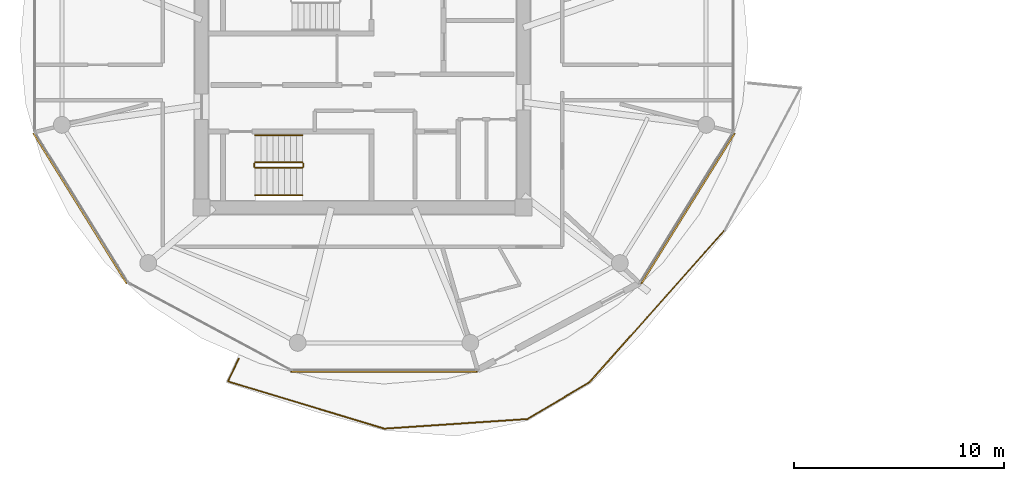
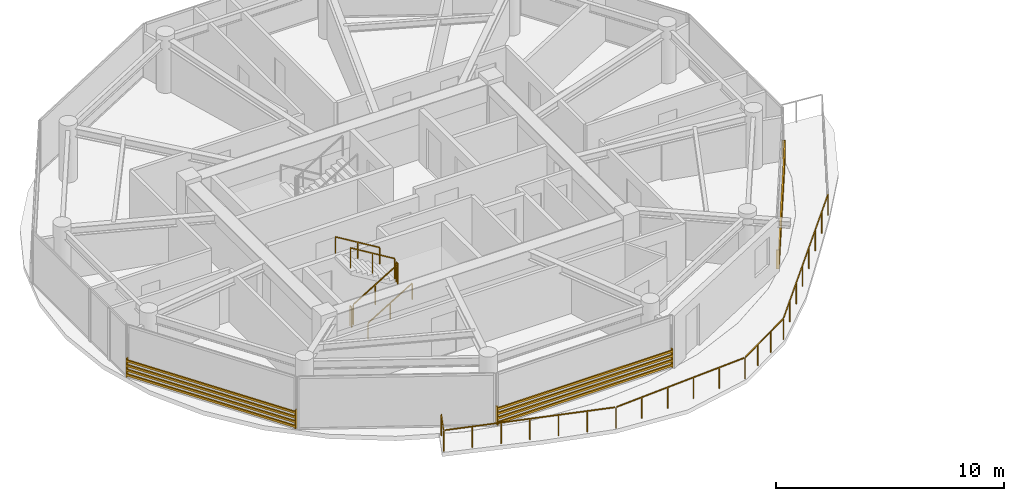
# One storey, part 18 of 22: 7 railings, 3 shading devices.
"""IFC4 building model written with IfcOpenShell, lengths in metres."""

from ifc_helpers import new_model, si_unit, direction, frame, origin, origin_2d, place, context, subcontext, project, spatial, rectangle, extrude, source, transform, mapped, material, type_object, type_shapes, element, save


model = new_model("IFC4")

# Units and contexts
model_context = context("Model", 3, precision=1e-05, world=origin(), true_north=direction((0.0, 1.0)))
body_context = subcontext(model_context, "Body", "Model", "MODEL_VIEW")
ifc_project = project(units=[si_unit("LENGTHUNIT", "METRE"), si_unit("AREAUNIT", "SQUARE_METRE"), si_unit("VOLUMEUNIT", "CUBIC_METRE"), si_unit("PLANEANGLEUNIT", "RADIAN"), si_unit("MASSUNIT", "GRAM", prefix="KILO")], contexts=[model_context])

# Site, building, storey
site_placement = place(None, origin())
site = spatial("IfcSite", under=ifc_project, at=site_placement, CompositionType="ELEMENT")
building_placement = place(site_placement, origin())
building = spatial("IfcBuilding", under=site, at=building_placement, Name="Norrkilde Senior Care Towers", CompositionType="ELEMENT")
storey_placement = place(building_placement, frame((0.0, 0.0, 180.050048828125)))
storey = spatial("IfcBuildingStorey", under=building, at=storey_placement, Name="L56", CompositionType="ELEMENT", Elevation=180.050048828125)

# Railings
ifc_material_1 = material(Name="Anodised Aluminium", Category="aluminium")
railing_type_1 = type_object("IfcRailingType", Name="Balcony Swirl Ribbon Guardrail 1150", PredefinedType="GUARDRAIL", material=ifc_material_1)
railing_1_placement = place(storey_placement, frame((-10.782958984375, -7.01513671875, 0.0)))
element("IfcRailing", 1, at=railing_1_placement, inside=storey, type_object=railing_type_1, Name="L56 Perimeter Safety Guard 03", PredefinedType="GUARDRAIL", context=body_context, shape_type="SweptSolid", body=[
    extrude(rectangle(XDim=0.048095703125, YDim=0.048095703125, at=origin_2d()), frame((0.0, 0.0, 1.1259765625), z_axis=(-0.664492121121, -0.74729527027, 0.0), x_axis=(0.74729527027, -0.664492121121, 0.0)), (0.0, 0.0, 1.0), 9.644775390625),
    extrude(rectangle(XDim=0.048095703125, YDim=0.048095703125, at=origin_2d()), frame((-6.47119140625, -7.2587890625, 1.1259765625), z_axis=(-0.860746246343, -0.509034281171, 0.0), x_axis=(0.509034281171, -0.860746246343, 0.0)), (0.0, 0.0, 1.0), 3.34326171875),
    extrude(rectangle(XDim=0.048095703125, YDim=0.048095703125, at=origin_2d()), frame((-9.4248046875, -8.984130859375, 1.1259765625), z_axis=(-0.997766716998, -0.066795048107, 0.0), x_axis=(0.066795048107, -0.997766716998, 0.0)), (0.0, 0.0, 1.0), 6.7275390625),
    extrude(rectangle(XDim=0.048095703125, YDim=0.048095703125, at=origin_2d()), frame((-16.21728515625, -9.424560546875, 1.1259765625), z_axis=(-0.957263301144, 0.289217863007, 0.0), x_axis=(-0.289217863007, -0.957263301144, 0.0)), (0.0, 0.0, 1.0), 7.677490234375),
    extrude(rectangle(XDim=0.048095703125, YDim=0.048095703125, at=origin_2d()), frame((-23.588623046875, -7.155029296875, 1.1259765625), z_axis=(0.425012660625, 0.905187405076, 0.0), x_axis=(-0.905187405076, 0.425012660625, 0.0)), (0.0, 0.0, 1.0), 1.158447265625),
    extrude(rectangle(XDim=0.0419921875, YDim=0.0419921875, at=origin_2d()), origin(), (0.0, 0.0, 1.0), 1.099853515625),
    extrude(rectangle(XDim=0.0419921875, YDim=0.0419921875, at=origin_2d()), frame((-0.91943359375, -1.033935546875, 0.0)), (0.0, 0.0, 1.0), 1.099853515625),
    extrude(rectangle(XDim=0.0419921875, YDim=0.0419921875, at=origin_2d()), frame((-1.8388671875, -2.068115234375, 0.0)), (0.0, 0.0, 1.0), 1.099853515625),
    extrude(rectangle(XDim=0.0419921875, YDim=0.0419921875, at=origin_2d()), frame((-2.75830078125, -3.10205078125, 0.0)), (0.0, 0.0, 1.0), 1.099853515625),
    extrude(rectangle(XDim=0.0419921875, YDim=0.0419921875, at=origin_2d()), frame((-3.677734375, -4.135986328125, 0.0)), (0.0, 0.0, 1.0), 1.099853515625),
    extrude(rectangle(XDim=0.0419921875, YDim=0.0419921875, at=origin_2d()), frame((-4.59716796875, -5.169921875, 0.0)), (0.0, 0.0, 1.0), 1.099853515625),
    extrude(rectangle(XDim=0.0419921875, YDim=0.0419921875, at=origin_2d()), frame((-5.5166015625, -6.2041015625, 0.0)), (0.0, 0.0, 1.0), 1.099853515625),
    extrude(rectangle(XDim=0.0419921875, YDim=0.0419921875, at=origin_2d()), frame((-6.43603515625, -7.238037109375, 0.0)), (0.0, 0.0, 1.0), 1.099853515625),
    extrude(rectangle(XDim=0.0419921875, YDim=0.0419921875, at=origin_2d()), frame((-7.418701171875, -7.819091796875, 0.0)), (0.0, 0.0, 1.0), 1.099853515625),
    extrude(rectangle(XDim=0.0419921875, YDim=0.0419921875, at=origin_2d()), frame((-8.4013671875, -8.400390625, 0.0)), (0.0, 0.0, 1.0), 1.099853515625),
    extrude(rectangle(XDim=0.0419921875, YDim=0.0419921875, at=origin_2d()), frame((-9.384033203125, -8.9814453125, 0.0)), (0.0, 0.0, 1.0), 1.099853515625),
    extrude(rectangle(XDim=0.0419921875, YDim=0.0419921875, at=origin_2d()), frame((-10.742919921875, -9.072509765625, 0.0)), (0.0, 0.0, 1.0), 1.099853515625),
    extrude(rectangle(XDim=0.0419921875, YDim=0.0419921875, at=origin_2d()), frame((-12.101806640625, -9.163330078125, 0.0)), (0.0, 0.0, 1.0), 1.099853515625),
    extrude(rectangle(XDim=0.0419921875, YDim=0.0419921875, at=origin_2d()), frame((-13.46044921875, -9.25439453125, 0.0)), (0.0, 0.0, 1.0), 1.099853515625),
    extrude(rectangle(XDim=0.0419921875, YDim=0.0419921875, at=origin_2d()), frame((-14.8193359375, -9.34521484375, 0.0)), (0.0, 0.0, 1.0), 1.099853515625),
    extrude(rectangle(XDim=0.0419921875, YDim=0.0419921875, at=origin_2d()), frame((-16.17822265625, -9.436279296875, 0.0)), (0.0, 0.0, 1.0), 1.099853515625),
    extrude(rectangle(XDim=0.0419921875, YDim=0.0419921875, at=origin_2d()), frame((-17.416259765625, -9.062255859375, 0.0)), (0.0, 0.0, 1.0), 1.099853515625),
    extrude(rectangle(XDim=0.0419921875, YDim=0.0419921875, at=origin_2d()), frame((-18.654052734375, -8.688232421875, 0.0)), (0.0, 0.0, 1.0), 1.099853515625),
    extrude(rectangle(XDim=0.0419921875, YDim=0.0419921875, at=origin_2d()), frame((-19.89208984375, -8.314208984375, 0.0)), (0.0, 0.0, 1.0), 1.099853515625),
    extrude(rectangle(XDim=0.0419921875, YDim=0.0419921875, at=origin_2d()), frame((-21.130126953125, -7.940185546875, 0.0)), (0.0, 0.0, 1.0), 1.099853515625),
    extrude(rectangle(XDim=0.0419921875, YDim=0.0419921875, at=origin_2d()), frame((-22.367919921875, -7.566162109375, 0.0)), (0.0, 0.0, 1.0), 1.099853515625),
    extrude(rectangle(XDim=0.0419921875, YDim=0.0419921875, at=origin_2d()), frame((-23.60595703125, -7.192138671875, 0.0)), (0.0, 0.0, 1.0), 1.099853515625),
    extrude(rectangle(XDim=0.0419921875, YDim=0.0419921875, at=origin_2d()), frame((-23.09619140625, -6.1064453125, 0.0)), (0.0, 0.0, 1.0), 1.099853515625),
])
ifc_material_2 = material(Name="Stainless Steel", Category="steel")
railing_type_2 = type_object("IfcRailingType", Name="Stair and Terrace Guardrail 1100", PredefinedType="GUARDRAIL", material=ifc_material_2)
railing_2_placement = place(storey_placement, frame((-33.10009765625, -4.050048828125, 0.16943359375)))
element("IfcRailing", 2, at=railing_2_placement, inside=storey, type_object=railing_type_2, Name="L56 ST-W2 stair guard 1", PredefinedType="GUARDRAIL", context=body_context, shape_type="SweptSolid", body=[
    extrude(rectangle(XDim=0.048095703125, YDim=0.048095703125, at=origin_2d()), frame((0.0, 0.0, 1.076171875), z_axis=(0.855553338991, 0.0, 0.51771467445), x_axis=(0.0, 1.0, 0.0)), (0.0, 0.0, 1.0), 2.6181640625),
    extrude(rectangle(XDim=0.0419921875, YDim=0.0419921875, at=origin_2d()), origin(), (0.0, 0.0, 1.0), 1.050048828125),
    extrude(rectangle(XDim=0.0419921875, YDim=0.0419921875, at=origin_2d()), frame((1.1201171875, 0.0, 0.677734375)), (0.0, 0.0, 1.0), 1.050048828125),
    extrude(rectangle(XDim=0.0419921875, YDim=0.0419921875, at=origin_2d()), frame((2.239990234375, 0.0, 1.35546875)), (0.0, 0.0, 1.0), 1.050048828125),
])
railing_3_placement = place(storey_placement, frame((-30.81005859375, -4.0, 1.52490234375)))
element("IfcRailing", 3, at=railing_3_placement, inside=storey, type_object=railing_type_2, Name="L56 ST-W2 stair guard 2", PredefinedType="GUARDRAIL", context=body_context, shape_type="SweptSolid", body=[
    extrude(rectangle(XDim=0.048095703125, YDim=0.048095703125, at=origin_2d()), frame((0.0, 0.0, 1.076171875), z_axis=(0.0, 1.0, 0.0), x_axis=(-1.0, 0.0, 0.0)), (0.0, 0.0, 1.0), 0.14990234375),
    extrude(rectangle(XDim=0.0419921875, YDim=0.0419921875, at=origin_2d()), origin(), (0.0, 0.0, 1.0), 1.050048828125),
    extrude(rectangle(XDim=0.0419921875, YDim=0.0419921875, at=origin_2d()), frame((0.0, 0.14990234375, 0.0)), (0.0, 0.0, 1.0), 1.050048828125),
])
railing_4_placement = place(storey_placement, frame((-30.860107421875, -3.800048828125, 1.6943359375)))
element("IfcRailing", 4, at=railing_4_placement, inside=storey, type_object=railing_type_2, Name="L56 ST-W2 stair guard 3", PredefinedType="GUARDRAIL", context=body_context, shape_type="SweptSolid", body=[
    extrude(rectangle(XDim=0.048095703125, YDim=0.048095703125, at=origin_2d()), frame((0.0, 0.0, 1.076171875), z_axis=(-0.855512035549, 0.0, 0.517782924622), x_axis=(0.0, -1.0, 0.0)), (0.0, 0.0, 1.0), 2.618408203125),
    extrude(rectangle(XDim=0.0419921875, YDim=0.0419921875, at=origin_2d()), origin(), (0.0, 0.0, 1.0), 1.050048828125),
    extrude(rectangle(XDim=0.0419921875, YDim=0.0419921875, at=origin_2d()), frame((-1.1201171875, 0.0, 0.677734375)), (0.0, 0.0, 1.0), 1.050048828125),
    extrude(rectangle(XDim=0.0419921875, YDim=0.0419921875, at=origin_2d()), frame((-2.239990234375, 0.0, 1.355712890625)), (0.0, 0.0, 1.0), 1.050048828125),
])
railing_5_placement = place(storey_placement, frame((-33.14990234375, -4.0, 0.0)))
element("IfcRailing", 5, at=railing_5_placement, inside=storey, type_object=railing_type_2, Name="L56 ST-W2 stair guard 4", PredefinedType="GUARDRAIL", context=body_context, shape_type="SweptSolid", body=[
    extrude(rectangle(XDim=0.048095703125, YDim=0.048095703125, at=origin_2d()), frame((0.0, 0.0, 1.076171875), z_axis=(0.0, 1.0, 0.0), x_axis=(-1.0, 0.0, 0.0)), (0.0, 0.0, 1.0), 0.14990234375),
    extrude(rectangle(XDim=0.0419921875, YDim=0.0419921875, at=origin_2d()), origin(), (0.0, 0.0, 1.0), 1.050048828125),
    extrude(rectangle(XDim=0.0419921875, YDim=0.0419921875, at=origin_2d()), frame((0.0, 0.14990234375, 0.0)), (0.0, 0.0, 1.0), 1.050048828125),
])
ifc_material_3 = material(Name="Nordic Ash Timber", Category="wood")
railing_type_3 = type_object("IfcRailingType", Name="Wall and Stair Handrail 900", PredefinedType="HANDRAIL", material=ifc_material_3)
railing_6_placement = place(storey_placement, frame((-33.10009765625, -5.35009765625, 0.16943359375)))
element("IfcRailing", 6, at=railing_6_placement, inside=storey, type_object=railing_type_3, Name="L56 ST-W2 stair handrail 1", PredefinedType="HANDRAIL", context=body_context, shape_type="SweptSolid", body=[
    extrude(rectangle(XDim=0.048095703125, YDim=0.048095703125, at=origin_2d()), frame((0.0, 0.0, 0.8759765625), z_axis=(0.855553338991, 0.0, 0.51771467445), x_axis=(0.0, 1.0, 0.0)), (0.0, 0.0, 1.0), 2.6181640625),
    extrude(rectangle(XDim=0.0419921875, YDim=0.0419921875, at=origin_2d()), origin(), (0.0, 0.0, 1.0), 0.849853515625),
    extrude(rectangle(XDim=0.0419921875, YDim=0.0419921875, at=origin_2d()), frame((1.1201171875, 0.0, 0.677734375)), (0.0, 0.0, 1.0), 0.849853515625),
    extrude(rectangle(XDim=0.0419921875, YDim=0.0419921875, at=origin_2d()), frame((2.239990234375, 0.0, 1.35546875)), (0.0, 0.0, 1.0), 0.849853515625),
])
railing_7_placement = place(storey_placement, frame((-30.860107421875, -2.5, 1.6943359375)))
element("IfcRailing", 7, at=railing_7_placement, inside=storey, type_object=railing_type_3, Name="L56 ST-W2 stair handrail 2", PredefinedType="HANDRAIL", context=body_context, shape_type="SweptSolid", body=[
    extrude(rectangle(XDim=0.048095703125, YDim=0.048095703125, at=origin_2d()), frame((0.0, 0.0, 0.8759765625), z_axis=(-0.855512035549, 0.0, 0.517782924622), x_axis=(0.0, -1.0, 0.0)), (0.0, 0.0, 1.0), 2.618408203125),
    extrude(rectangle(XDim=0.0419921875, YDim=0.0419921875, at=origin_2d()), origin(), (0.0, 0.0, 1.0), 0.849853515625),
    extrude(rectangle(XDim=0.0419921875, YDim=0.0419921875, at=origin_2d()), frame((-1.1201171875, 0.0, 0.677734375)), (0.0, 0.0, 1.0), 0.849853515625),
    extrude(rectangle(XDim=0.0419921875, YDim=0.0419921875, at=origin_2d()), frame((-2.239990234375, 0.0, 1.355712890625)), (0.0, 0.0, 1.0), 0.849853515625),
])

# Shading devices
ifc_material_4 = material(Name="Architectural Terracotta", Category="masonry")
shading_device_type = type_object("IfcShadingDeviceType", Name="Horizontal Terracotta Baguette Rack", PredefinedType="USERDEFINED", material=ifc_material_4)
shared_shape_1 = source(origin(), body_context, "Body", "SweptSolid", [
    extrude(rectangle(XDim=0.070068359375, YDim=0.110107421875, at=origin_2d()), frame((0.0, 0.090087890625, 0.125), z_axis=(1.0, 0.0, 0.0), x_axis=(0.0, 1.0, 0.0)), (0.0, 0.0, 1.0), 8.89306640625),
    extrude(rectangle(XDim=0.070068359375, YDim=0.110107421875, at=origin_2d()), frame((0.0, 0.090087890625, 0.375), z_axis=(1.0, 0.0, 0.0), x_axis=(0.0, 1.0, 0.0)), (0.0, 0.0, 1.0), 8.89306640625),
    extrude(rectangle(XDim=0.070068359375, YDim=0.110107421875, at=origin_2d()), frame((0.0, 0.090087890625, 0.625), z_axis=(1.0, 0.0, 0.0), x_axis=(0.0, 1.0, 0.0)), (0.0, 0.0, 1.0), 8.89306640625),
    extrude(rectangle(XDim=0.070068359375, YDim=0.110107421875, at=origin_2d()), frame((0.0, 0.090087890625, 0.875), z_axis=(1.0, 0.0, 0.0), x_axis=(0.0, 1.0, 0.0)), (0.0, 0.0, 1.0), 8.89306640625),
    extrude(rectangle(XDim=0.050048828125, YDim=0.1552734375, at=origin_2d()), frame((0.02490234375, 0.047607421875, 0.0)), (0.0, 0.0, 1.0), 1.0),
    extrude(rectangle(XDim=0.050048828125, YDim=0.1552734375, at=origin_2d()), frame((8.8681640625, 0.047607421875, 0.0)), (0.0, 0.0, 1.0), 1.0),
])
shading_device_placement = place(storey_placement, frame((-22.528564453125, -13.66015625, 0.079833984375), z_axis=(0.0, 0.0, 1.0), x_axis=(-1.0, 0.0, 0.0)))
element("IfcShadingDevice", 8, at=shading_device_placement, inside=storey, type_object=shading_device_type, Name="L56 Drum W Terracotta Baguette Screen 08", ObjectType="BAGUETTE", PredefinedType="USERDEFINED", context=body_context, shape_type="MappedRepresentation", body=[
    mapped(shared_shape_1, transform((0.0, 0.0, 0.0), x_axis=(1.0, 0.0, 0.0), y_axis=(0.0, 1.0, 0.0), z_axis=(0.0, 0.0, 1.0), scale=1.0)),
])
shared_shape_2 = source(origin(), body_context, "Body", "SweptSolid", [
    extrude(rectangle(XDim=0.070068359375, YDim=0.110107421875, at=origin_2d()), frame((0.0, 0.090087890625, 0.125), z_axis=(1.0, 0.0, 0.0), x_axis=(0.0, 1.0, 0.0)), (0.0, 0.0, 1.0), 8.431396484375),
    extrude(rectangle(XDim=0.070068359375, YDim=0.110107421875, at=origin_2d()), frame((0.0, 0.090087890625, 0.375), z_axis=(1.0, 0.0, 0.0), x_axis=(0.0, 1.0, 0.0)), (0.0, 0.0, 1.0), 8.431396484375),
    extrude(rectangle(XDim=0.070068359375, YDim=0.110107421875, at=origin_2d()), frame((0.0, 0.090087890625, 0.625), z_axis=(1.0, 0.0, 0.0), x_axis=(0.0, 1.0, 0.0)), (0.0, 0.0, 1.0), 8.431396484375),
    extrude(rectangle(XDim=0.070068359375, YDim=0.110107421875, at=origin_2d()), frame((0.0, 0.090087890625, 0.875), z_axis=(1.0, 0.0, 0.0), x_axis=(0.0, 1.0, 0.0)), (0.0, 0.0, 1.0), 8.431396484375),
    extrude(rectangle(XDim=0.050048828125, YDim=0.1552734375, at=origin_2d()), frame((0.02490234375, 0.047607421875, 0.0)), (0.0, 0.0, 1.0), 1.0),
    extrude(rectangle(XDim=0.050048828125, YDim=0.1552734375, at=origin_2d()), frame((8.40625, 0.047607421875, 0.0)), (0.0, 0.0, 1.0), 1.0),
])
type_shapes(shading_device_type, [shared_shape_1, shared_shape_2])
for number, where, z_axis, x_axis, name in (
    (9, (-39.123046875, -9.524169921875, 0.079833984375), (0.0, 0.0, 1.0), (-0.527378022296, 0.849630809324, 0.0), "L56 Drum W Terracotta Baguette Screen 06"),
    (10, (-10.38037109375, -2.360595703125, 0.079833984375), (0.0, 0.0, 1.0), (-0.527378022296, -0.849630809324, 0.0), "L56 Drum W Terracotta Baguette Screen 10"),
):
    element("IfcShadingDevice", number, at=place(storey_placement, frame(where, z_axis=z_axis, x_axis=x_axis)), inside=storey, type_object=shading_device_type, Name=name, ObjectType="BAGUETTE", PredefinedType="USERDEFINED", context=body_context, shape_type="MappedRepresentation", body=[
        mapped(shared_shape_2, transform((0.0, 0.0, 0.0), x_axis=(1.0, 0.0, 0.0), y_axis=(0.0, 1.0, 0.0), z_axis=(0.0, 0.0, 1.0), scale=1.0)),
    ])

save(model, "model.ifc")
